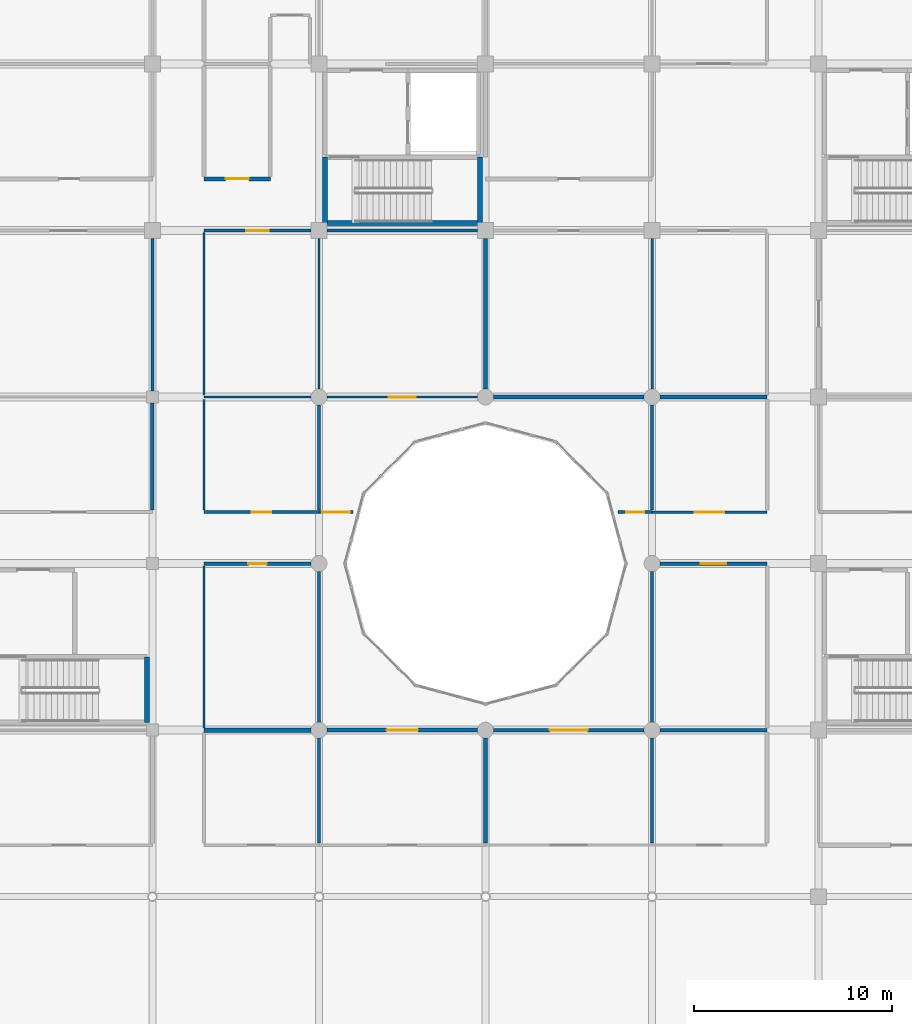
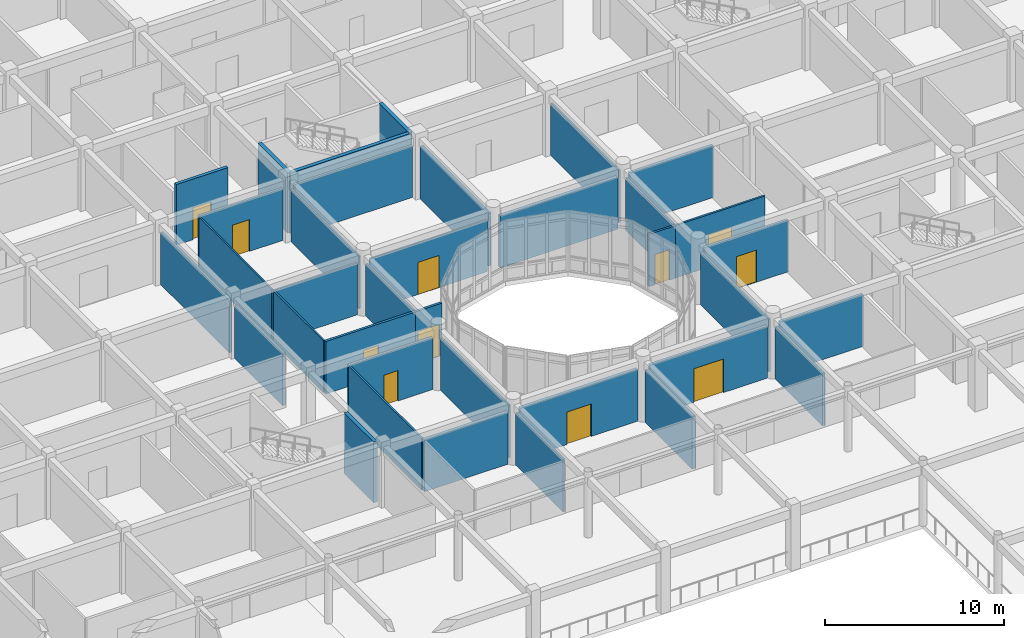
# One storey, part 111 of 144: 36 walls, 11 doors, 11 openings.
"""IFC4 building model written with IfcOpenShell, lengths in metres."""

from ifc_helpers import new_model, si_unit, direction, frame, frame_2d, origin, place, context, subcontext, project, spatial, rectangle, extrude, material, layer, layer_set, type_object, element, fill, save


model = new_model("IFC4")

# Units and contexts
model_context = context("Model", 3, precision=1e-05, world=origin(), true_north=direction((0.0, 1.0)))
body_context = subcontext(model_context, "Body", "Model", "MODEL_VIEW")
ifc_project = project(units=[si_unit("LENGTHUNIT", "METRE"), si_unit("AREAUNIT", "SQUARE_METRE"), si_unit("VOLUMEUNIT", "CUBIC_METRE"), si_unit("PLANEANGLEUNIT", "RADIAN"), si_unit("MASSUNIT", "GRAM", prefix="KILO")], contexts=[model_context])

# Site, building, storey
site_placement = place(None, origin())
site = spatial("IfcSite", under=ifc_project, at=site_placement, CompositionType="ELEMENT")
building_placement = place(site_placement, origin())
building = spatial("IfcBuilding", under=site, at=building_placement, Name="Bramfleet General Hospital", CompositionType="ELEMENT")
storey_placement = place(building_placement, frame((0.0, 0.0, 4.800048828125)))
storey = spatial("IfcBuildingStorey", under=building, at=storey_placement, Name="L01", CompositionType="ELEMENT", Elevation=4.800048828125)

# Walls
ifc_material_1 = material(Name="Concrete C35/45", Category="concrete")
ifc_layer_1 = layer(ifc_material_1, 0.219970703125, Name="WT-IW-01")
ifc_layer_set_1 = layer_set([ifc_layer_1], Name="Concrete C35/45")
wall_type_1 = type_object("IfcWallType", Name="WT-IW-01", PredefinedType="PARTITIONING", material=ifc_layer_set_1)
wall_1_placement = place(storey_placement, frame((69.800048828125, 67.199951171875, 0.0), z_axis=(0.0, 0.0, 1.0), x_axis=(1.0, 0.0, 0.0)))
element("IfcWall", 1, at=wall_1_placement, inside=storey, type_object=wall_type_1, Name="L01 Interior Partition IW-L01-1417", PredefinedType="PARTITIONING", context=body_context, shape_type="SweptSolid", body=[
    extrude(rectangle(XDim=5.405029296875, YDim=0.219970703125, at=frame_2d((2.70263671875, 0.0))), origin(), (0.0, 0.0, 1.0), 3.5400390625),
])
wall_2_placement = place(storey_placement, frame((84.39501953125, 84.0, 0.0), z_axis=(0.0, 0.0, 1.0), x_axis=(1.0, 0.0, 0.0)))
element("IfcWall", 2, at=wall_2_placement, inside=storey, type_object=wall_type_1, Name="L01 Interior Partition IW-L01-1465", PredefinedType="PARTITIONING", context=body_context, shape_type="SweptSolid", body=[
    extrude(rectangle(XDim=7.60986328125, YDim=0.219970703125, at=frame_2d((3.804931640625, 0.0))), origin(), (0.0, 0.0, 1.0), 3.5400390625),
])
wall_3_placement = place(storey_placement, frame((84.0, 61.514892578125, 0.0), z_axis=(0.0, 0.0, 1.0), x_axis=(0.0, 1.0, 0.0)))
element("IfcWall", 3, at=wall_3_placement, inside=storey, type_object=wall_type_1, Name="L01 Interior Partition IW-L01-1789", PredefinedType="PARTITIONING", context=body_context, shape_type="SweptSolid", body=[
    extrude(rectangle(XDim=5.2900390625, YDim=0.219970703125, at=frame_2d((2.64501953125, 0.0))), origin(), (0.0, 0.0, 1.0), 3.58984375),
])

# Wall, opening, door
ifc_layer_2 = layer(ifc_material_1, 0.205078125, Name="WT-IW-02")
ifc_layer_set_2 = layer_set([ifc_layer_2], Name="Concrete C35/45")
wall_type_2 = type_object("IfcWallType", Name="WT-IW-02", PredefinedType="PARTITIONING", material=ifc_layer_set_2)
wall_4_placement = place(storey_placement, frame((75.9951171875, 67.199951171875, 0.0), z_axis=(0.0, 0.0, 1.0), x_axis=(1.0, 0.0, 0.0)))
wall_4 = element("IfcWall", 4, at=wall_4_placement, inside=storey, type_object=wall_type_2, Name="L01 Interior Partition IW-L01-1418", PredefinedType="PARTITIONING", context=body_context, shape_type="SweptSolid", body=[
    extrude(rectangle(XDim=7.60986328125, YDim=0.205078125, at=frame_2d((3.804931640625, 0.0))), origin(), (0.0, 0.0, 1.0), 3.5400390625),
])
opening_1_placement = place(wall_4_placement, frame((3.014892578125, 0.0, 0.0)))
opening_1 = element("IfcOpeningElement", 5, at=opening_1_placement, cuts=wall_4, Name="Opening D0736", PredefinedType="OPENING", context=body_context, shape_type="SweptSolid", body=[
    extrude(rectangle(XDim=1.580078125, YDim=2.219970703125, at=frame_2d((0.7900390625, 1.10986328125))), frame((0.0, 0.112548828125, 0.0), z_axis=(0.0, -1.0, 0.0), x_axis=(1.0, 0.0, 0.0)), (0.0, 0.0, 1.0), 0.22509765625),
])
ifc_material_2 = material(Name="Stainless steel and acoustic timber leaf", Category="steel")
door_type_1 = type_object("IfcDoorType", Name="DR-D-32", OperationType="NOTDEFINED", PredefinedType="DOOR", material=ifc_material_2)
door_1_placement = place(opening_1_placement, origin())
door_1 = element("IfcDoor", 6, at=door_1_placement, inside=storey, type_object=door_type_1, Name="Courtyard Waiting Lounge L01-0908 Door D0736", OperationType="DOUBLE_SWING_LEFT", OverallHeight=2.219970703125, OverallWidth=1.580078125, PredefinedType="DOOR", context=body_context, shape_type="SweptSolid", body=[
    extrude(rectangle(XDim=1.580078125, YDim=2.219970703125, at=frame_2d((0.7900390625, 1.10986328125))), frame((0.0, 0.02490234375, 0.0), z_axis=(0.0, -1.0, 0.0), x_axis=(1.0, 0.0, 0.0)), (0.0, 0.0, 1.0), 0.050048828125),
])
fill(opening_1, door_1)

# Wall
wall_5_placement = place(storey_placement, frame((92.794921875, 84.0, 0.0), z_axis=(0.0, 0.0, 1.0), x_axis=(1.0, 0.0, 0.0)))
element("IfcWall", 7, at=wall_5_placement, inside=storey, type_object=wall_type_2, Name="L01 Interior Partition IW-L01-1466", PredefinedType="PARTITIONING", context=body_context, shape_type="SweptSolid", body=[
    extrude(rectangle(XDim=5.405029296875, YDim=0.205078125, at=frame_2d((2.70263671875, 0.0))), origin(), (0.0, 0.0, 1.0), 3.5400390625),
])

# Wall, opening, door
wall_6_placement = place(storey_placement, frame((69.800048828125, 95.0, 0.0), z_axis=(0.0, 0.0, 1.0), x_axis=(1.0, 0.0, 0.0)))
wall_6 = element("IfcWall", 8, at=wall_6_placement, inside=storey, type_object=wall_type_2, Name="L01 Interior Partition IW-L01-1502", PredefinedType="PARTITIONING", context=body_context, shape_type="SweptSolid", body=[
    extrude(rectangle(XDim=3.349853515625, YDim=0.205078125, at=frame_2d((1.6748046875, 0.0))), origin(), (0.0, 0.0, 1.0), 4.139892578125),
])
opening_2_placement = place(wall_6_placement, frame((1.0849609375, 0.0, 0.0)))
opening_2 = element("IfcOpeningElement", 9, at=opening_2_placement, cuts=wall_6, Name="Opening D0732", PredefinedType="OPENING", context=body_context, shape_type="SweptSolid", body=[
    extrude(rectangle(XDim=1.179931640625, YDim=2.179931640625, at=frame_2d((0.58984375, 1.08984375))), frame((0.0, 0.112548828125, 0.0), z_axis=(0.0, -1.0, 0.0), x_axis=(1.0, 0.0, 0.0)), (0.0, 0.0, 1.0), 0.22509765625),
])
door_type_2 = type_object("IfcDoorType", Name="DR-D-28", OperationType="NOTDEFINED", PredefinedType="DOOR", material=ifc_material_2)
door_2_placement = place(opening_2_placement, origin())
door_2 = element("IfcDoor", 10, at=door_2_placement, inside=storey, type_object=door_type_2, Name="Pathology and Clinical Laboratory L01-0811A Door D0732", OperationType="SINGLE_SWING_LEFT", OverallHeight=2.179931640625, OverallWidth=1.179931640625, PredefinedType="DOOR", context=body_context, shape_type="SweptSolid", body=[
    extrude(rectangle(XDim=1.179931640625, YDim=2.179931640625, at=frame_2d((0.58984375, 1.08984375))), frame((0.0, 0.02490234375, 0.0), z_axis=(0.0, -1.0, 0.0), x_axis=(1.0, 0.0, 0.0)), (0.0, 0.0, 1.0), 0.050048828125),
])
fill(opening_2, door_2)

# Wall
wall_7_placement = place(storey_placement, frame((84.0, 84.39501953125, 0.0), z_axis=(0.0, 0.0, 1.0), x_axis=(0.0, 1.0, 0.0)))
element("IfcWall", 11, at=wall_7_placement, inside=storey, type_object=wall_type_2, Name="L01 Interior Partition IW-L01-1790", PredefinedType="PARTITIONING", context=body_context, shape_type="SweptSolid", body=[
    extrude(rectangle(XDim=7.60986328125, YDim=0.205078125, at=frame_2d((3.804931640625, 0.0))), origin(), (0.0, 0.0, 1.0), 3.58984375),
])

# Wall, opening, door
ifc_layer_3 = layer(ifc_material_1, 0.18994140625, Name="WT-IW-03")
ifc_layer_set_3 = layer_set([ifc_layer_3], Name="Concrete C35/45")
wall_type_3 = type_object("IfcWallType", Name="WT-IW-03", PredefinedType="PARTITIONING", material=ifc_layer_set_3)
wall_8_placement = place(storey_placement, frame((84.39501953125, 67.199951171875, 0.0), z_axis=(0.0, 0.0, 1.0), x_axis=(1.0, 0.0, 0.0)))
wall_8 = element("IfcWall", 12, at=wall_8_placement, inside=storey, type_object=wall_type_3, Name="L01 Interior Partition IW-L01-1419", PredefinedType="PARTITIONING", context=body_context, shape_type="SweptSolid", body=[
    extrude(rectangle(XDim=7.60986328125, YDim=0.18994140625, at=frame_2d((3.804931640625, 0.0))), origin(), (0.0, 0.0, 1.0), 3.5400390625),
])
opening_3_placement = place(wall_8_placement, frame((2.85498046875, 0.0, 0.0)))
opening_3 = element("IfcOpeningElement", 13, at=opening_3_placement, cuts=wall_8, Name="Opening D0742", PredefinedType="OPENING", context=body_context, shape_type="SweptSolid", body=[
    extrude(rectangle(XDim=1.89990234375, YDim=2.300048828125, at=frame_2d((0.949951171875, 1.14990234375))), frame((0.0, 0.10498046875, 0.0), z_axis=(0.0, -1.0, 0.0), x_axis=(1.0, 0.0, 0.0)), (0.0, 0.0, 1.0), 0.2099609375),
])
door_type_3 = type_object("IfcDoorType", Name="DR-D-06", OperationType="NOTDEFINED", PredefinedType="DOOR", material=ifc_material_2)
door_3_placement = place(opening_3_placement, origin())
door_3 = element("IfcDoor", 14, at=door_3_placement, inside=storey, type_object=door_type_3, Name="Courtyard Waiting Lounge L01-1008 Door D0742", OperationType="DOUBLE_SWING_LEFT", OverallHeight=2.300048828125, OverallWidth=1.89990234375, PredefinedType="DOOR", context=body_context, shape_type="SweptSolid", body=[
    extrude(rectangle(XDim=1.89990234375, YDim=2.300048828125, at=frame_2d((0.949951171875, 1.14990234375))), frame((0.0, 0.02490234375, 0.0), z_axis=(0.0, -1.0, 0.0), x_axis=(1.0, 0.0, 0.0)), (0.0, 0.0, 1.0), 0.050048828125),
])
fill(opening_3, door_3)

# Wall
ifc_layer_4 = layer(ifc_material_1, 0.179931640625, Name="WT-IW-04")
ifc_layer_set_4 = layer_set([ifc_layer_4], Name="Concrete C35/45")
wall_type_4 = type_object("IfcWallType", Name="WT-IW-04", PredefinedType="PARTITIONING", material=ifc_layer_set_4)
wall_9_placement = place(storey_placement, frame((92.794921875, 67.199951171875, 0.0), z_axis=(0.0, 0.0, 1.0), x_axis=(1.0, 0.0, 0.0)))
element("IfcWall", 15, at=wall_9_placement, inside=storey, type_object=wall_type_4, Name="L01 Interior Partition IW-L01-1420", PredefinedType="PARTITIONING", context=body_context, shape_type="SweptSolid", body=[
    extrude(rectangle(XDim=5.405029296875, YDim=0.179931640625, at=frame_2d((2.70263671875, 0.0))), origin(), (0.0, 0.0, 1.0), 3.5400390625),
])

# Wall, opening, door
wall_10_placement = place(storey_placement, frame((69.800048828125, 75.60009765625, 0.0), z_axis=(0.0, 0.0, 1.0), x_axis=(1.0, 0.0, 0.0)))
wall_10 = element("IfcWall", 16, at=wall_10_placement, inside=storey, type_object=wall_type_4, Name="L01 Interior Partition IW-L01-1432", PredefinedType="PARTITIONING", context=body_context, shape_type="SweptSolid", body=[
    extrude(rectangle(XDim=5.405029296875, YDim=0.179931640625, at=frame_2d((2.70263671875, 0.0))), origin(), (0.0, 0.0, 1.0), 3.5400390625),
])
opening_4_placement = place(wall_10_placement, frame((2.242431640625, 0.0, 0.0)))
opening_4 = element("IfcOpeningElement", 17, at=opening_4_placement, cuts=wall_10, Name="Opening D0729", PredefinedType="OPENING", context=body_context, shape_type="SweptSolid", body=[
    extrude(rectangle(XDim=0.919921875, YDim=2.080078125, at=frame_2d((0.4599609375, 1.0400390625))), frame((0.0, 0.099853515625, 0.0), z_axis=(0.0, -1.0, 0.0), x_axis=(1.0, 0.0, 0.0)), (0.0, 0.0, 1.0), 0.199951171875),
])
door_type_4 = type_object("IfcDoorType", Name="DR-D-25", OperationType="NOTDEFINED", PredefinedType="DOOR", material=ifc_material_2)
door_4_placement = place(opening_4_placement, origin())
door_4 = element("IfcDoor", 18, at=door_4_placement, inside=storey, type_object=door_type_4, Name="Pathology and Clinical Laboratory L01-0808A Door D0729", OperationType="SINGLE_SWING_RIGHT", OverallHeight=2.080078125, OverallWidth=0.919921875, PredefinedType="DOOR", context=body_context, shape_type="SweptSolid", body=[
    extrude(rectangle(XDim=0.919921875, YDim=2.080078125, at=frame_2d((0.4599609375, 1.0400390625))), frame((0.0, 0.02490234375, 0.0), z_axis=(0.0, -1.0, 0.0), x_axis=(1.0, 0.0, 0.0)), (0.0, 0.0, 1.0), 0.050048828125),
])
fill(opening_4, door_4)

# Wall
wall_11_placement = place(storey_placement, frame((67.199951171875, 78.31494140625, 0.0), z_axis=(0.0, 0.0, 1.0), x_axis=(0.0, 1.0, 0.0)))
element("IfcWall", 19, at=wall_11_placement, inside=storey, type_object=wall_type_4, Name="L01 Interior Partition IW-L01-1768", PredefinedType="PARTITIONING", context=body_context, shape_type="SweptSolid", body=[
    extrude(rectangle(XDim=5.39013671875, YDim=0.179931640625, at=frame_2d((2.695068359375, 0.0))), origin(), (0.0, 0.0, 1.0), 3.58984375),
])

# Wall, opening, door
ifc_material_3 = material(Name="Gypsum plasterboard on acoustic steel studs", Category="steel")
ifc_layer_5 = layer(ifc_material_3, 0.169921875, Name="WT-IW-05")
ifc_layer_set_5 = layer_set([ifc_layer_5], Name="Gypsum plasterboard on acoustic steel studs")
wall_type_5 = type_object("IfcWallType", Name="WT-IW-05", PredefinedType="PARTITIONING", material=ifc_layer_set_5)
wall_12_placement = place(storey_placement, frame((92.794921875, 75.60009765625, 0.0), z_axis=(0.0, 0.0, 1.0), x_axis=(1.0, 0.0, 0.0)))
wall_12 = element("IfcWall", 20, at=wall_12_placement, inside=storey, type_object=wall_type_5, Name="L01 Interior Partition IW-L01-1433", PredefinedType="PARTITIONING", context=body_context, shape_type="SweptSolid", body=[
    extrude(rectangle(XDim=5.405029296875, YDim=0.169921875, at=frame_2d((2.70263671875, 0.0))), origin(), (0.0, 0.0, 1.0), 3.5400390625),
])
opening_5_placement = place(wall_12_placement, frame((2.052490234375, 0.0, 0.0)))
opening_5 = element("IfcOpeningElement", 21, at=opening_5_placement, cuts=wall_12, Name="Opening D0751", PredefinedType="OPENING", context=body_context, shape_type="SweptSolid", body=[
    extrude(rectangle(XDim=1.300048828125, YDim=2.199951171875, at=frame_2d((0.64990234375, 1.10009765625))), frame((0.0, 0.094970703125, 0.0), z_axis=(0.0, -1.0, 0.0), x_axis=(1.0, 0.0, 0.0)), (0.0, 0.0, 1.0), 0.18994140625),
])
door_type_5 = type_object("IfcDoorType", Name="DR-D-15", OperationType="NOTDEFINED", PredefinedType="DOOR", material=ifc_material_2)
door_5_placement = place(opening_5_placement, origin())
door_5 = element("IfcDoor", 22, at=door_5_placement, inside=storey, type_object=door_type_5, Name="Pathology and Clinical Laboratory L01-1108A Door D0751", OperationType="SINGLE_SWING_RIGHT", OverallHeight=2.199951171875, OverallWidth=1.300048828125, PredefinedType="DOOR", context=body_context, shape_type="SweptSolid", body=[
    extrude(rectangle(XDim=1.300048828125, YDim=2.199951171875, at=frame_2d((0.64990234375, 1.10009765625))), frame((0.0, 0.02490234375, 0.0), z_axis=(0.0, -1.0, 0.0), x_axis=(1.0, 0.0, 0.0)), (0.0, 0.0, 1.0), 0.050048828125),
])
fill(opening_5, door_5)

# Wall
wall_13_placement = place(storey_placement, frame((67.199951171875, 84.294921875, 0.0), z_axis=(0.0, 0.0, 1.0), x_axis=(0.0, 1.0, 0.0)))
element("IfcWall", 23, at=wall_13_placement, inside=storey, type_object=wall_type_5, Name="L01 Interior Partition IW-L01-1769", PredefinedType="PARTITIONING", context=body_context, shape_type="SweptSolid", body=[
    extrude(rectangle(XDim=7.7099609375, YDim=0.169921875, at=frame_2d((3.85498046875, 0.0))), origin(), (0.0, 0.0, 1.0), 3.58984375),
])

# Wall, opening, door
ifc_layer_6 = layer(ifc_material_3, 0.159912109375, Name="WT-IW-06")
ifc_layer_set_6 = layer_set([ifc_layer_6], Name="Gypsum plasterboard on acoustic steel studs")
wall_type_6 = type_object("IfcWallType", Name="WT-IW-06", PredefinedType="PARTITIONING", material=ifc_layer_set_6)
wall_14_placement = place(storey_placement, frame((69.800048828125, 78.199951171875, 0.0), z_axis=(0.0, 0.0, 1.0), x_axis=(1.0, 0.0, 0.0)))
wall_14 = element("IfcWall", 24, at=wall_14_placement, inside=storey, type_object=wall_type_6, Name="L01 Interior Partition IW-L01-1446", PredefinedType="PARTITIONING", context=body_context, shape_type="SweptSolid", body=[
    extrude(rectangle(XDim=5.800048828125, YDim=0.159912109375, at=frame_2d((2.89990234375, 0.0))), origin(), (0.0, 0.0, 1.0), 3.58984375),
])
opening_6_placement = place(wall_14_placement, frame((2.409912109375, 0.0, 0.0)))
opening_6 = element("IfcOpeningElement", 25, at=opening_6_placement, cuts=wall_14, Name="Opening D0730", PredefinedType="OPENING", context=body_context, shape_type="SweptSolid", body=[
    extrude(rectangle(XDim=0.97998046875, YDim=2.1201171875, at=frame_2d((0.489990234375, 1.06005859375))), frame((0.0, 0.08984375, 0.0), z_axis=(0.0, -1.0, 0.0), x_axis=(1.0, 0.0, 0.0)), (0.0, 0.0, 1.0), 0.179931640625),
])
door_type_6 = type_object("IfcDoorType", Name="DR-D-26", OperationType="NOTDEFINED", PredefinedType="DOOR", material=ifc_material_2)
door_6_placement = place(opening_6_placement, origin())
door_6 = element("IfcDoor", 26, at=door_6_placement, inside=storey, type_object=door_type_6, Name="Pathology and Clinical Laboratory L01-0809A Door D0730", OperationType="SINGLE_SWING_LEFT", OverallHeight=2.1201171875, OverallWidth=0.97998046875, PredefinedType="DOOR", context=body_context, shape_type="SweptSolid", body=[
    extrude(rectangle(XDim=0.97998046875, YDim=2.1201171875, at=frame_2d((0.489990234375, 1.06005859375))), frame((0.0, 0.02490234375, 0.0), z_axis=(0.0, -1.0, 0.0), x_axis=(1.0, 0.0, 0.0)), (0.0, 0.0, 1.0), 0.050048828125),
])
fill(opening_6, door_6)

wall_15_placement = place(storey_placement, frame((69.800048828125, 92.39990234375, 0.0), z_axis=(0.0, 0.0, 1.0), x_axis=(1.0, 0.0, 0.0)))
wall_15 = element("IfcWall", 27, at=wall_15_placement, inside=storey, type_object=wall_type_6, Name="L01 Interior Partition IW-L01-1482", PredefinedType="PARTITIONING", context=body_context, shape_type="SweptSolid", body=[
    extrude(rectangle(XDim=5.405029296875, YDim=0.159912109375, at=frame_2d((2.70263671875, 0.0))), origin(), (0.0, 0.0, 1.0), 3.5400390625),
])
opening_7_placement = place(wall_15_placement, frame((2.142578125, 0.0, 0.0)))
opening_7 = element("IfcOpeningElement", 28, at=opening_7_placement, cuts=wall_15, Name="Opening D0731", PredefinedType="OPENING", context=body_context, shape_type="SweptSolid", body=[
    extrude(rectangle(XDim=1.1201171875, YDim=2.179931640625, at=frame_2d((0.56005859375, 1.08984375))), frame((0.0, 0.08984375, 0.0), z_axis=(0.0, -1.0, 0.0), x_axis=(1.0, 0.0, 0.0)), (0.0, 0.0, 1.0), 0.179931640625),
])
door_type_7 = type_object("IfcDoorType", Name="DR-D-27", OperationType="NOTDEFINED", PredefinedType="DOOR", material=ifc_material_2)
door_7_placement = place(opening_7_placement, origin())
door_7 = element("IfcDoor", 29, at=door_7_placement, inside=storey, type_object=door_type_7, Name="Pathology and Clinical Laboratory L01-0810A Door D0731", OperationType="SINGLE_SWING_RIGHT", OverallHeight=2.179931640625, OverallWidth=1.1201171875, PredefinedType="DOOR", context=body_context, shape_type="SweptSolid", body=[
    extrude(rectangle(XDim=1.1201171875, YDim=2.179931640625, at=frame_2d((0.56005859375, 1.08984375))), frame((0.0, 0.02490234375, 0.0), z_axis=(0.0, -1.0, 0.0), x_axis=(1.0, 0.0, 0.0)), (0.0, 0.0, 1.0), 0.050048828125),
])
fill(opening_7, door_7)

# Wall
wall_16_placement = place(storey_placement, frame((92.39990234375, 61.514892578125, 0.0), z_axis=(0.0, 0.0, 1.0), x_axis=(0.0, 1.0, 0.0)))
element("IfcWall", 30, at=wall_16_placement, inside=storey, type_object=wall_type_6, Name="L01 Interior Partition IW-L01-1794", PredefinedType="PARTITIONING", context=body_context, shape_type="SweptSolid", body=[
    extrude(rectangle(XDim=5.2900390625, YDim=0.159912109375, at=frame_2d((2.64501953125, 0.0))), origin(), (0.0, 0.0, 1.0), 3.58984375),
])

# Wall, opening, door
ifc_layer_7 = layer(ifc_material_3, 0.14990234375, Name="WT-IW-07")
ifc_layer_set_7 = layer_set([ifc_layer_7], Name="Gypsum plasterboard on acoustic steel studs")
wall_type_7 = type_object("IfcWallType", Name="WT-IW-07", PredefinedType="PARTITIONING", material=ifc_layer_set_7)
wall_17_placement = place(storey_placement, frame((75.60009765625, 78.199951171875, 0.0), z_axis=(0.0, 0.0, 1.0), x_axis=(1.0, 0.0, 0.0)))
wall_17 = element("IfcWall", 31, at=wall_17_placement, inside=storey, type_object=wall_type_7, Name="L01 Interior Partition IW-L01-1447", PredefinedType="PARTITIONING", context=body_context, shape_type="SweptSolid", body=[
    extrude(rectangle(XDim=1.70654296875, YDim=0.14990234375, at=frame_2d((0.853271484375, 0.0))), origin(), (0.0, 0.0, 1.0), 3.58984375),
])
opening_8_placement = place(wall_17_placement, frame((0.1533203125, 0.0, 0.0)))
opening_8 = element("IfcOpeningElement", 32, at=opening_8_placement, cuts=wall_17, Name="Opening D0737", PredefinedType="OPENING", context=body_context, shape_type="SweptSolid", body=[
    extrude(rectangle(XDim=1.39990234375, YDim=2.199951171875, at=frame_2d((0.699951171875, 1.10009765625))), frame((0.0, 0.0849609375, 0.0), z_axis=(0.0, -1.0, 0.0), x_axis=(1.0, 0.0, 0.0)), (0.0, 0.0, 1.0), 0.169921875),
])
door_type_8 = type_object("IfcDoorType", Name="DR-D-01", OperationType="NOTDEFINED", PredefinedType="DOOR", material=ifc_material_2)
door_8_placement = place(opening_8_placement, origin())
door_8 = element("IfcDoor", 33, at=door_8_placement, inside=storey, type_object=door_type_8, Name="Courtyard Waiting Lounge L01-0909 Door D0737", OperationType="SINGLE_SWING_RIGHT", OverallHeight=2.199951171875, OverallWidth=1.39990234375, PredefinedType="DOOR", context=body_context, shape_type="SweptSolid", body=[
    extrude(rectangle(XDim=1.39990234375, YDim=2.199951171875, at=frame_2d((0.699951171875, 1.10009765625))), frame((0.0, 0.02490234375, 0.0), z_axis=(0.0, -1.0, 0.0), x_axis=(1.0, 0.0, 0.0)), (0.0, 0.0, 1.0), 0.050048828125),
])
fill(opening_8, door_8)

# Walls
wall_18_placement = place(storey_placement, frame((75.9951171875, 92.39990234375, 0.0), z_axis=(0.0, 0.0, 1.0), x_axis=(1.0, 0.0, 0.0)))
element("IfcWall", 34, at=wall_18_placement, inside=storey, type_object=wall_type_7, Name="L01 Interior Partition IW-L01-1483", PredefinedType="PARTITIONING", context=body_context, shape_type="SweptSolid", body=[
    extrude(rectangle(XDim=7.60986328125, YDim=0.14990234375, at=frame_2d((3.804931640625, 0.0))), origin(), (0.0, 0.0, 1.0), 3.5400390625),
])
wall_19_placement = place(storey_placement, frame((75.60009765625, 61.514892578125, 0.0), z_axis=(0.0, 0.0, 1.0), x_axis=(0.0, 1.0, 0.0)))
element("IfcWall", 35, at=wall_19_placement, inside=storey, type_object=wall_type_7, Name="L01 Interior Partition IW-L01-1783", PredefinedType="PARTITIONING", context=body_context, shape_type="SweptSolid", body=[
    extrude(rectangle(XDim=5.2900390625, YDim=0.14990234375, at=frame_2d((2.64501953125, 0.0))), origin(), (0.0, 0.0, 1.0), 3.58984375),
])
wall_20_placement = place(storey_placement, frame((92.39990234375, 67.594970703125, 0.0), z_axis=(0.0, 0.0, 1.0), x_axis=(0.0, 1.0, 0.0)))
element("IfcWall", 36, at=wall_20_placement, inside=storey, type_object=wall_type_7, Name="L01 Interior Partition IW-L01-1795", PredefinedType="PARTITIONING", context=body_context, shape_type="SweptSolid", body=[
    extrude(rectangle(XDim=7.610107421875, YDim=0.14990234375, at=frame_2d((3.80517578125, 0.0))), origin(), (0.0, 0.0, 1.0), 3.58984375),
])

# Wall, opening, door
ifc_layer_8 = layer(ifc_material_3, 0.139892578125, Name="WT-IW-08")
ifc_layer_set_8 = layer_set([ifc_layer_8], Name="Gypsum plasterboard on acoustic steel studs")
wall_type_8 = type_object("IfcWallType", Name="WT-IW-08", PredefinedType="PARTITIONING", material=ifc_layer_set_8)
wall_21_placement = place(storey_placement, frame((90.693359375, 78.199951171875, 0.0), z_axis=(0.0, 0.0, 1.0), x_axis=(1.0, 0.0, 0.0)))
wall_21 = element("IfcWall", 37, at=wall_21_placement, inside=storey, type_object=wall_type_8, Name="L01 Interior Partition IW-L01-1448", PredefinedType="PARTITIONING", context=body_context, shape_type="SweptSolid", body=[
    extrude(rectangle(XDim=1.70654296875, YDim=0.139892578125, at=frame_2d((0.853271484375, 0.0))), origin(), (0.0, 0.0, 1.0), 3.58984375),
])
opening_9_placement = place(wall_21_placement, frame((0.393310546875, 0.0, 0.0)))
opening_9 = element("IfcOpeningElement", 38, at=opening_9_placement, cuts=wall_21, Name="Opening D0743", PredefinedType="OPENING", context=body_context, shape_type="SweptSolid", body=[
    extrude(rectangle(XDim=0.919921875, YDim=2.080078125, at=frame_2d((0.4599609375, 1.0400390625))), frame((0.0, 0.079833984375, 0.0), z_axis=(0.0, -1.0, 0.0), x_axis=(1.0, 0.0, 0.0)), (0.0, 0.0, 1.0), 0.159912109375),
])
door_9_placement = place(opening_9_placement, origin())
door_9 = element("IfcDoor", 39, at=door_9_placement, inside=storey, type_object=door_type_4, Name="Courtyard Waiting Lounge L01-1009 Door D0743", OperationType="SINGLE_SWING_LEFT", OverallHeight=2.080078125, OverallWidth=0.919921875, PredefinedType="DOOR", context=body_context, shape_type="SweptSolid", body=[
    extrude(rectangle(XDim=0.919921875, YDim=2.080078125, at=frame_2d((0.4599609375, 1.0400390625))), frame((0.0, 0.02490234375, 0.0), z_axis=(0.0, -1.0, 0.0), x_axis=(1.0, 0.0, 0.0)), (0.0, 0.0, 1.0), 0.050048828125),
])
fill(opening_9, door_9)

# Walls
wall_22_placement = place(storey_placement, frame((75.60009765625, 67.594970703125, 0.0), z_axis=(0.0, 0.0, 1.0), x_axis=(0.0, 1.0, 0.0)))
element("IfcWall", 40, at=wall_22_placement, inside=storey, type_object=wall_type_8, Name="L01 Interior Partition IW-L01-1784", PredefinedType="PARTITIONING", context=body_context, shape_type="SweptSolid", body=[
    extrude(rectangle(XDim=7.610107421875, YDim=0.139892578125, at=frame_2d((3.80517578125, 0.0))), origin(), (0.0, 0.0, 1.0), 3.58984375),
])
wall_23_placement = place(storey_placement, frame((92.39990234375, 78.31494140625, 0.0), z_axis=(0.0, 0.0, 1.0), x_axis=(0.0, 1.0, 0.0)))
element("IfcWall", 41, at=wall_23_placement, inside=storey, type_object=wall_type_8, Name="L01 Interior Partition IW-L01-1796", PredefinedType="PARTITIONING", context=body_context, shape_type="SweptSolid", body=[
    extrude(rectangle(XDim=5.2900390625, YDim=0.139892578125, at=frame_2d((2.64501953125, 0.0))), origin(), (0.0, 0.0, 1.0), 3.58984375),
])

# Wall, opening, door
ifc_layer_9 = layer(ifc_material_3, 0.1298828125, Name="WT-IW-09")
ifc_layer_set_9 = layer_set([ifc_layer_9], Name="Gypsum plasterboard on acoustic steel studs")
wall_type_9 = type_object("IfcWallType", Name="WT-IW-09", PredefinedType="PARTITIONING", material=ifc_layer_set_9)
wall_24_placement = place(storey_placement, frame((92.39990234375, 78.199951171875, 0.0), z_axis=(0.0, 0.0, 1.0), x_axis=(1.0, 0.0, 0.0)))
wall_24 = element("IfcWall", 42, at=wall_24_placement, inside=storey, type_object=wall_type_9, Name="L01 Interior Partition IW-L01-1449", PredefinedType="PARTITIONING", context=body_context, shape_type="SweptSolid", body=[
    extrude(rectangle(XDim=5.800048828125, YDim=0.1298828125, at=frame_2d((2.89990234375, 0.0))), origin(), (0.0, 0.0, 1.0), 3.58984375),
])
opening_10_placement = place(wall_24_placement, frame((2.159912109375, 0.0, 0.0)))
opening_10 = element("IfcOpeningElement", 43, at=opening_10_placement, cuts=wall_24, Name="Opening D0752", PredefinedType="OPENING", context=body_context, shape_type="SweptSolid", body=[
    extrude(rectangle(XDim=1.47998046875, YDim=2.219970703125, at=frame_2d((0.739990234375, 1.10986328125))), frame((0.0, 0.074951171875, 0.0), z_axis=(0.0, -1.0, 0.0), x_axis=(1.0, 0.0, 0.0)), (0.0, 0.0, 1.0), 0.14990234375),
])
door_type_9 = type_object("IfcDoorType", Name="DR-D-16", OperationType="NOTDEFINED", PredefinedType="DOOR", material=ifc_material_2)
door_10_placement = place(opening_10_placement, origin())
door_10 = element("IfcDoor", 44, at=door_10_placement, inside=storey, type_object=door_type_9, Name="Pathology and Clinical Laboratory L01-1109A Door D0752", OperationType="SINGLE_SWING_LEFT", OverallHeight=2.219970703125, OverallWidth=1.47998046875, PredefinedType="DOOR", context=body_context, shape_type="SweptSolid", body=[
    extrude(rectangle(XDim=1.47998046875, YDim=2.219970703125, at=frame_2d((0.739990234375, 1.10986328125))), frame((0.0, 0.02490234375, 0.0), z_axis=(0.0, -1.0, 0.0), x_axis=(1.0, 0.0, 0.0)), (0.0, 0.0, 1.0), 0.050048828125),
])
fill(opening_10, door_10)

# Walls
wall_25_placement = place(storey_placement, frame((75.60009765625, 78.31494140625, 0.0), z_axis=(0.0, 0.0, 1.0), x_axis=(0.0, 1.0, 0.0)))
element("IfcWall", 45, at=wall_25_placement, inside=storey, type_object=wall_type_9, Name="L01 Interior Partition IW-L01-1785", PredefinedType="PARTITIONING", context=body_context, shape_type="SweptSolid", body=[
    extrude(rectangle(XDim=5.2900390625, YDim=0.1298828125, at=frame_2d((2.64501953125, 0.0))), origin(), (0.0, 0.0, 1.0), 3.58984375),
])
wall_26_placement = place(storey_placement, frame((92.39990234375, 84.39501953125, 0.0), z_axis=(0.0, 0.0, 1.0), x_axis=(0.0, 1.0, 0.0)))
element("IfcWall", 46, at=wall_26_placement, inside=storey, type_object=wall_type_9, Name="L01 Interior Partition IW-L01-1797", PredefinedType="PARTITIONING", context=body_context, shape_type="SweptSolid", body=[
    extrude(rectangle(XDim=7.60986328125, YDim=0.1298828125, at=frame_2d((3.804931640625, 0.0))), origin(), (0.0, 0.0, 1.0), 3.58984375),
])
ifc_layer_10 = layer(ifc_material_3, 0.1201171875, Name="WT-IW-10")
ifc_layer_set_10 = layer_set([ifc_layer_10], Name="Gypsum plasterboard on acoustic steel studs")
wall_type_10 = type_object("IfcWallType", Name="WT-IW-10", PredefinedType="PARTITIONING", material=ifc_layer_set_10)
wall_27_placement = place(storey_placement, frame((69.800048828125, 67.31494140625, 0.0), z_axis=(0.0, 0.0, 1.0), x_axis=(0.0, 1.0, 0.0)))
element("IfcWall", 47, at=wall_27_placement, inside=storey, type_object=wall_type_10, Name="L01 Interior Partition IW-L01-1774", PredefinedType="PARTITIONING", context=body_context, shape_type="SweptSolid", body=[
    extrude(rectangle(XDim=8.170166015625, YDim=0.1201171875, at=frame_2d((4.0849609375, 0.0))), origin(), (0.0, 0.0, 1.0), 3.5400390625),
])
wall_28_placement = place(storey_placement, frame((75.60009765625, 84.39501953125, 0.0), z_axis=(0.0, 0.0, 1.0), x_axis=(0.0, 1.0, 0.0)))
element("IfcWall", 48, at=wall_28_placement, inside=storey, type_object=wall_type_10, Name="L01 Interior Partition IW-L01-1786", PredefinedType="PARTITIONING", context=body_context, shape_type="SweptSolid", body=[
    extrude(rectangle(XDim=7.60986328125, YDim=0.1201171875, at=frame_2d((3.804931640625, 0.0))), origin(), (0.0, 0.0, 1.0), 3.58984375),
])
ifc_layer_11 = layer(ifc_material_3, 0.112060546875, Name="WT-IW-11")
ifc_layer_set_11 = layer_set([ifc_layer_11], Name="Gypsum plasterboard on acoustic steel studs")
wall_type_11 = type_object("IfcWallType", Name="WT-IW-11", PredefinedType="PARTITIONING", material=ifc_layer_set_11)
wall_29_placement = place(storey_placement, frame((69.800048828125, 84.0, 0.0), z_axis=(0.0, 0.0, 1.0), x_axis=(1.0, 0.0, 0.0)))
element("IfcWall", 49, at=wall_29_placement, inside=storey, type_object=wall_type_11, Name="L01 Interior Partition IW-L01-1463", PredefinedType="PARTITIONING", context=body_context, shape_type="SweptSolid", body=[
    extrude(rectangle(XDim=5.405029296875, YDim=0.112060546875, at=frame_2d((2.70263671875, 0.0))), origin(), (0.0, 0.0, 1.0), 3.5400390625),
])
wall_30_placement = place(storey_placement, frame((69.800048828125, 78.31494140625, 0.0), z_axis=(0.0, 0.0, 1.0), x_axis=(0.0, 1.0, 0.0)))
element("IfcWall", 50, at=wall_30_placement, inside=storey, type_object=wall_type_11, Name="L01 Interior Partition IW-L01-1775", PredefinedType="PARTITIONING", context=body_context, shape_type="SweptSolid", body=[
    extrude(rectangle(XDim=5.570068359375, YDim=0.112060546875, at=frame_2d((2.78515625, 0.0))), origin(), (0.0, 0.0, 1.0), 3.5400390625),
])

# Wall, opening, door
ifc_layer_12 = layer(ifc_material_3, 0.10009765625, Name="WT-IW-12")
ifc_layer_set_12 = layer_set([ifc_layer_12], Name="Gypsum plasterboard on acoustic steel studs")
wall_type_12 = type_object("IfcWallType", Name="WT-IW-12", PredefinedType="PARTITIONING", material=ifc_layer_set_12)
wall_31_placement = place(storey_placement, frame((75.9951171875, 84.0, 0.0), z_axis=(0.0, 0.0, 1.0), x_axis=(1.0, 0.0, 0.0)))
wall_31 = element("IfcWall", 51, at=wall_31_placement, inside=storey, type_object=wall_type_12, Name="L01 Interior Partition IW-L01-1464", PredefinedType="PARTITIONING", context=body_context, shape_type="SweptSolid", body=[
    extrude(rectangle(XDim=7.60986328125, YDim=0.10009765625, at=frame_2d((3.804931640625, 0.0))), origin(), (0.0, 0.0, 1.0), 3.5400390625),
])
opening_11_placement = place(wall_31_placement, frame((3.1298828125, 0.0, 0.0)))
opening_11 = element("IfcOpeningElement", 52, at=opening_11_placement, cuts=wall_31, Name="Opening D0738", PredefinedType="OPENING", context=body_context, shape_type="SweptSolid", body=[
    extrude(rectangle(XDim=1.35009765625, YDim=2.199951171875, at=frame_2d((0.675048828125, 1.10009765625))), frame((0.0, 0.06005859375, 0.0), z_axis=(0.0, -1.0, 0.0), x_axis=(1.0, 0.0, 0.0)), (0.0, 0.0, 1.0), 0.1201171875),
])
door_type_10 = type_object("IfcDoorType", Name="DR-D-02", OperationType="NOTDEFINED", PredefinedType="DOOR", material=ifc_material_2)
door_11_placement = place(opening_11_placement, origin())
door_11 = element("IfcDoor", 53, at=door_11_placement, inside=storey, type_object=door_type_10, Name="Pathology and Clinical Laboratory L01-0910A Door D0738", OperationType="SINGLE_SWING_LEFT", OverallHeight=2.199951171875, OverallWidth=1.35009765625, PredefinedType="DOOR", context=body_context, shape_type="SweptSolid", body=[
    extrude(rectangle(XDim=1.35009765625, YDim=2.199951171875, at=frame_2d((0.675048828125, 1.10009765625))), frame((0.0, 0.02490234375, 0.0), z_axis=(0.0, -1.0, 0.0), x_axis=(1.0, 0.0, 0.0)), (0.0, 0.0, 1.0), 0.050048828125),
])
fill(opening_11, door_11)

# Walls
wall_32_placement = place(storey_placement, frame((69.800048828125, 84.114990234375, 0.0), z_axis=(0.0, 0.0, 1.0), x_axis=(0.0, 1.0, 0.0)))
element("IfcWall", 54, at=wall_32_placement, inside=storey, type_object=wall_type_12, Name="L01 Interior Partition IW-L01-1776", PredefinedType="PARTITIONING", context=body_context, shape_type="SweptSolid", body=[
    extrude(rectangle(XDim=8.169921875, YDim=0.10009765625, at=frame_2d((4.0849609375, 0.0))), origin(), (0.0, 0.0, 1.0), 3.5400390625),
])
ifc_material_4 = material(Name="Concrete C40/50", Category="concrete")
ifc_layer_13 = layer(ifc_material_4, 0.239990234375, Name="WT-SW-240")
ifc_layer_set_13 = layer_set([ifc_layer_13], Name="Concrete C40/50")
wall_type_13 = type_object("IfcWallType", Name="WT-SW-240", PredefinedType="SHEAR", material=ifc_layer_set_13)
wall_33_placement = place(storey_placement, frame((75.89990234375, 92.780029296875, 0.0), z_axis=(0.0, 0.0, 1.0), x_axis=(1.0, 0.0, 0.0)))
element("IfcWall", 55, at=wall_33_placement, inside=storey, type_object=wall_type_13, Name="L01 C5 South Stair Shear Wall", PredefinedType="SHEAR", context=body_context, shape_type="SweptSolid", body=[
    extrude(rectangle(XDim=7.820068359375, YDim=0.239990234375, at=frame_2d((3.91015625, 0.0))), origin(), (0.0, 0.0, 1.0), 4.14990234375),
])
for number, where, z_axis, x_axis, name in (
    (56, (75.89990234375, 92.780029296875, 0.0), (0.0, 0.0, 1.0), (0.0, 1.0, 0.0), "L01 C5 West Stair Shear Wall"),
    (57, (83.719970703125, 92.780029296875, 0.0), (0.0, 0.0, 1.0), (0.0, 1.0, 0.0), "L01 C5 East Stair Shear Wall"),
):
    element("IfcWall", number, at=place(storey_placement, frame(where, z_axis=z_axis, x_axis=x_axis)), inside=storey, type_object=wall_type_13, Name=name, PredefinedType="SHEAR", context=body_context, shape_type="SweptSolid", body=[
        extrude(rectangle(XDim=3.320068359375, YDim=0.239990234375, at=frame_2d((1.66015625, 0.0))), origin(), (0.0, 0.0, 1.0), 4.14990234375),
    ])
wall_34_placement = place(storey_placement, frame((66.919921875, 67.580078125, 0.0), z_axis=(0.0, 0.0, 1.0), x_axis=(0.0, 1.0, 0.0)))
element("IfcWall", 58, at=wall_34_placement, inside=storey, type_object=wall_type_13, Name="L01 C13 East Stair Shear Wall", PredefinedType="SHEAR", context=body_context, shape_type="SweptSolid", body=[
    extrude(rectangle(XDim=3.31982421875, YDim=0.239990234375, at=frame_2d((1.659912109375, 0.0))), origin(), (0.0, 0.0, 1.0), 4.14990234375),
])

save(model, "model.ifc")
